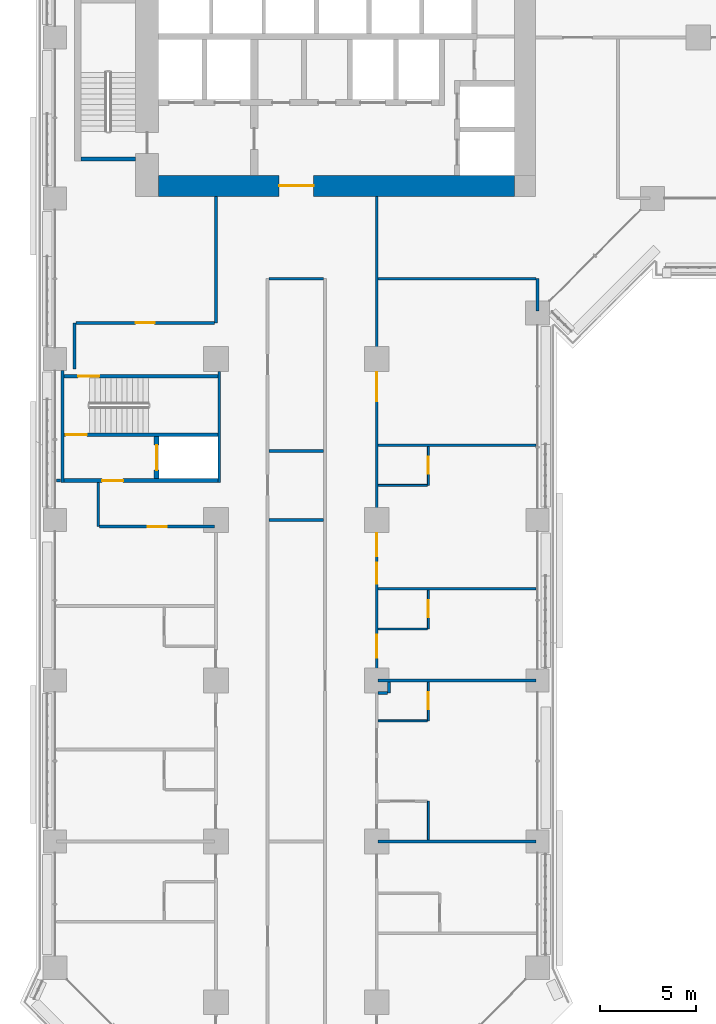
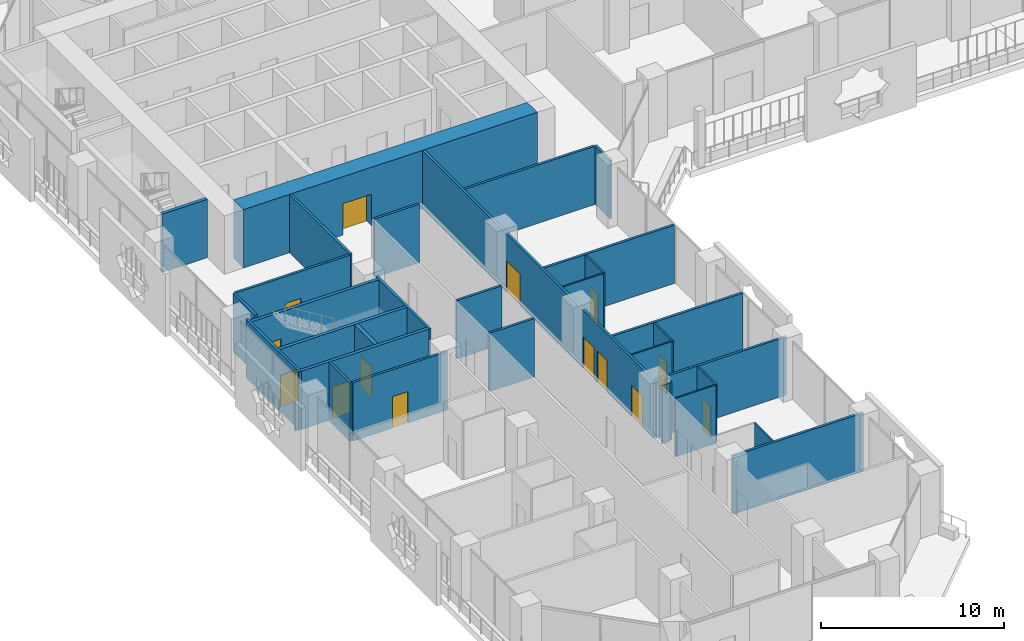
# One storey, part 14 of 28: 33 walls, 14 doors, 14 openings.
"""IFC4 building model written with IfcOpenShell, lengths in metres."""

from ifc_helpers import new_model, si_unit, direction, frame, frame_2d, origin, place, context, subcontext, project, spatial, rectangle, extrude, material, layer, layer_set, type_object, element, fill, save


model = new_model("IFC4")

# Units and contexts
model_context = context("Model", 3, precision=1e-05, world=origin(), true_north=direction((0.0, 1.0)))
body_context = subcontext(model_context, "Body", "Model", "MODEL_VIEW")
ifc_project = project(units=[si_unit("LENGTHUNIT", "METRE"), si_unit("AREAUNIT", "SQUARE_METRE"), si_unit("VOLUMEUNIT", "CUBIC_METRE"), si_unit("PLANEANGLEUNIT", "RADIAN"), si_unit("MASSUNIT", "GRAM", prefix="KILO")], contexts=[model_context])

# Site, building, storey
site_placement = place(None, origin())
site = spatial("IfcSite", under=ifc_project, at=site_placement, CompositionType="ELEMENT")
building_placement = place(site_placement, origin())
building = spatial("IfcBuilding", under=site, at=building_placement, Name="Kawkab Arch Medical Tower", CompositionType="ELEMENT")
storey_placement = place(building_placement, frame((0.0, 0.0, 68.60009765625)))
storey = spatial("IfcBuildingStorey", under=building, at=storey_placement, Name="L15", CompositionType="ELEMENT", Elevation=68.60009765625)

# Wall, opening, door
ifc_material_1 = material(Name="Concrete C60/75", Category="concrete")
ifc_layer_1 = layer(ifc_material_1, 1.10009765625)
ifc_layer_set_1 = layer_set([ifc_layer_1], Name="Concrete C60/75")
wall_type_1 = type_object("IfcWallType", Name="Core ring wall 1100 C60/75", PredefinedType="SHEAR", material=ifc_layer_set_1)
wall_1_placement = place(storey_placement, frame((5.39990234375, -24.550048828125, 0.0), z_axis=(0.0, 0.0, 1.0), x_axis=(1.0, 0.0, 0.0)))
wall_1 = element("IfcWall", 1, at=wall_1_placement, inside=storey, type_object=wall_type_1, Name="L15 core wall", PredefinedType="SHEAR", context=body_context, shape_type="SweptSolid", body=[
    extrude(rectangle(XDim=18.60009765625, YDim=1.10009765625, at=frame_2d((9.300048828125, 0.0))), origin(), (0.0, 0.0, 1.0), 3.89990234375),
])
opening_1_placement = place(wall_1_placement, frame((6.300048828125, 0.0, 0.0)))
opening_1 = element("IfcOpeningElement", 2, at=opening_1_placement, cuts=wall_1, Name="Opening PD", PredefinedType="OPENING", context=body_context, shape_type="SweptSolid", body=[
    extrude(rectangle(XDim=1.800048828125, YDim=2.10009765625, at=frame_2d((0.89990234375, 1.050048828125))), frame((0.0, 0.56005859375, 0.0), z_axis=(0.0, -1.0, 0.0), x_axis=(1.0, 0.0, 0.0)), (0.0, 0.0, 1.0), 1.1201171875),
])
ifc_material_2 = material(Name="Hollow metal fire door leaf")
door_type_1 = type_object("IfcDoorType", Name="Core entrance doors 1800", OperationType="DOUBLE_DOOR_SINGLE_SWING", PredefinedType="DOOR", material=ifc_material_2)
door_1_placement = place(opening_1_placement, origin())
door_1 = element("IfcDoor", 3, at=door_1_placement, inside=storey, type_object=door_type_1, Name="L15 South entrance doors", OperationType="DOUBLE_DOOR_SINGLE_SWING", OverallHeight=2.10009765625, OverallWidth=1.800048828125, PredefinedType="DOOR", context=body_context, shape_type="SweptSolid", body=[
    extrude(rectangle(XDim=1.800048828125, YDim=2.10009765625, at=frame_2d((0.89990234375, 1.050048828125))), frame((0.0, 0.02490234375, 0.0), z_axis=(0.0, -1.0, 0.0), x_axis=(1.0, 0.0, 0.0)), (0.0, 0.0, 1.0), 0.050048828125),
])
fill(opening_1, door_1)

ifc_material_3 = material(Name="Concrete C60/75", Category="concrete")
ifc_layer_2 = layer(ifc_material_3, 0.25)
ifc_layer_set_2 = layer_set([ifc_layer_2], Name="Concrete C60/75")
wall_type_2 = type_object("IfcWallType", Name="Core shear wall 250 C60/75", PredefinedType="SHEAR", material=ifc_layer_set_2)
wall_2_placement = place(storey_placement, frame((5.300048828125, -39.85009765625, 0.0), z_axis=(0.0, 0.0, 1.0), x_axis=(0.0, 1.0, 0.0)))
wall_2 = element("IfcWall", 4, at=wall_2_placement, inside=storey, type_object=wall_type_2, Name="L15 core shear wall", PredefinedType="SHEAR", context=body_context, shape_type="SweptSolid", body=[
    extrude(rectangle(XDim=2.2001953125, YDim=0.25, at=frame_2d((1.10009765625, 0.0))), origin(), (0.0, 0.0, 1.0), 3.89990234375),
])
opening_2_placement = place(wall_2_placement, frame((0.449951171875, 0.0, 0.0)))
opening_2 = element("IfcOpeningElement", 5, at=opening_2_placement, cuts=wall_2, Name="Opening LD2", PredefinedType="OPENING", context=body_context, shape_type="SweptSolid", body=[
    extrude(rectangle(XDim=1.300048828125, YDim=2.10009765625, at=frame_2d((0.64990234375, 1.050048828125))), frame((0.0, 0.135009765625, 0.0), z_axis=(0.0, -1.0, 0.0), x_axis=(1.0, 0.0, 0.0)), (0.0, 0.0, 1.0), 0.27001953125),
])
ifc_material_4 = material(Name="Stainless steel lift door leaf", Category="steel")
door_type_2 = type_object("IfcDoorType", Name="Lift landing door 1300", OperationType="DOUBLE_DOOR_SLIDING", PredefinedType="DOOR", material=ifc_material_4)
door_2_placement = place(opening_2_placement, origin())
door_2 = element("IfcDoor", 6, at=door_2_placement, inside=storey, type_object=door_type_2, Name="L15 Lift landing door SV2", OperationType="DOUBLE_DOOR_SLIDING", OverallHeight=2.10009765625, OverallWidth=1.300048828125, PredefinedType="DOOR", context=body_context, shape_type="SweptSolid", body=[
    extrude(rectangle(XDim=1.300048828125, YDim=2.10009765625, at=frame_2d((0.64990234375, 1.050048828125))), frame((0.0, 0.02490234375, 0.0), z_axis=(0.0, -1.0, 0.0), x_axis=(1.0, 0.0, 0.0)), (0.0, 0.0, 1.0), 0.050048828125),
])
fill(opening_2, door_2)

# Walls
ifc_material_5 = material(Name="Gypsum board partition on steel studs", Category="steel")
ifc_layer_3 = layer(ifc_material_5, 0.10009765625)
ifc_layer_set_3 = layer_set([ifc_layer_3], Name="Gypsum board partition on steel studs")
wall_type_3 = type_object("IfcWallType", Name="Partition 100", PredefinedType="PARTITIONING", material=ifc_layer_set_3)
for number, where, z_axis, x_axis, name in (
    (7, (16.875, -52.5, 0.0), (0.0, 0.0, 1.0), (1.0, 0.0, 0.0), "Partition 100 w005"),
    (8, (16.875, -47.699951171875, 0.0), (0.0, 0.0, 1.0), (1.0, 0.0, 0.0), "Partition 100 w007"),
):
    element("IfcWall", number, at=place(storey_placement, frame(where, z_axis=z_axis, x_axis=x_axis)), inside=storey, type_object=wall_type_3, Name=name, PredefinedType="PARTITIONING", context=body_context, shape_type="SweptSolid", body=[
        extrude(rectangle(XDim=2.574951171875, YDim=0.10009765625, at=frame_2d((1.28759765625, 0.0))), origin(), (0.0, 0.0, 1.0), 3.89990234375),
    ])
wall_3_placement = place(storey_placement, frame((16.875, -40.199951171875, 0.0), z_axis=(0.0, 0.0, 1.0), x_axis=(1.0, 0.0, 0.0)))
element("IfcWall", 9, at=wall_3_placement, inside=storey, type_object=wall_type_3, Name="Partition 100 w008", PredefinedType="PARTITIONING", context=body_context, shape_type="SweptSolid", body=[
    extrude(rectangle(XDim=2.573974609375, YDim=0.10009765625, at=frame_2d((1.287109375, 0.0))), origin(), (0.0, 0.0, 1.0), 3.89990234375),
])
wall_4_placement = place(storey_placement, frame((19.5, -58.72509765625, 0.0), z_axis=(0.0, 0.0, 1.0), x_axis=(0.0, 1.0, 0.0)))
element("IfcWall", 10, at=wall_4_placement, inside=storey, type_object=wall_type_3, Name="Partition 100 w021", PredefinedType="PARTITIONING", context=body_context, shape_type="SweptSolid", body=[
    extrude(rectangle(XDim=2.025146484375, YDim=0.10009765625, at=frame_2d((1.0126953125, 0.0))), origin(), (0.0, 0.0, 1.0), 3.89990234375),
])

# Wall, opening, door
wall_5_placement = place(storey_placement, frame((19.5, -52.5, 0.0), z_axis=(0.0, 0.0, 1.0), x_axis=(0.0, 1.0, 0.0)))
wall_5 = element("IfcWall", 11, at=wall_5_placement, inside=storey, type_object=wall_type_3, Name="Partition 100 w022", PredefinedType="PARTITIONING", context=body_context, shape_type="SweptSolid", body=[
    extrude(rectangle(XDim=2.02490234375, YDim=0.10009765625, at=frame_2d((1.012451171875, 0.0))), origin(), (0.0, 0.0, 1.0), 3.89990234375),
])
opening_3_placement = place(wall_5_placement, frame((0.60009765625, 0.0, 0.0)))
opening_3 = element("IfcOpeningElement", 12, at=opening_3_placement, cuts=wall_5, Name="Opening W15A-024", PredefinedType="OPENING", context=body_context, shape_type="SweptSolid", body=[
    extrude(rectangle(XDim=0.89990234375, YDim=2.10009765625, at=frame_2d((0.449951171875, 1.050048828125))), frame((0.0, 0.06005859375, 0.0), z_axis=(0.0, -1.0, 0.0), x_axis=(1.0, 0.0, 0.0)), (0.0, 0.0, 1.0), 0.1201171875),
])
ifc_material_6 = material(Name="Timber door leaf", Category="wood")
door_type_3 = type_object("IfcDoorType", Name="Single door 900x2100", OperationType="NOTDEFINED", PredefinedType="DOOR", material=ifc_material_6)
door_3_placement = place(opening_3_placement, origin())
door_3 = element("IfcDoor", 13, at=door_3_placement, inside=storey, type_object=door_type_3, Name="Door W15A-024", OperationType="SINGLE_SWING_RIGHT", OverallHeight=2.10009765625, OverallWidth=0.89990234375, PredefinedType="DOOR", context=body_context, shape_type="SweptSolid", body=[
    extrude(rectangle(XDim=0.89990234375, YDim=2.10009765625, at=frame_2d((0.449951171875, 1.050048828125))), frame((0.0, 0.02490234375, 0.0), z_axis=(0.0, -1.0, 0.0), x_axis=(1.0, 0.0, 0.0)), (0.0, 0.0, 1.0), 0.050048828125),
])
fill(opening_3, door_3)

wall_6_placement = place(storey_placement, frame((19.5, -47.699951171875, 0.0), z_axis=(0.0, 0.0, 1.0), x_axis=(0.0, 1.0, 0.0)))
wall_6 = element("IfcWall", 14, at=wall_6_placement, inside=storey, type_object=wall_type_3, Name="Partition 100 w023", PredefinedType="PARTITIONING", context=body_context, shape_type="SweptSolid", body=[
    extrude(rectangle(XDim=2.02490234375, YDim=0.10009765625, at=frame_2d((1.012451171875, 0.0))), origin(), (0.0, 0.0, 1.0), 3.89990234375),
])
opening_4_placement = place(wall_6_placement, frame((0.60009765625, 0.0, 0.0)))
opening_4 = element("IfcOpeningElement", 15, at=opening_4_placement, cuts=wall_6, Name="Opening W15A-023", PredefinedType="OPENING", context=body_context, shape_type="SweptSolid", body=[
    extrude(rectangle(XDim=0.89990234375, YDim=2.10009765625, at=frame_2d((0.449951171875, 1.050048828125))), frame((0.0, 0.06005859375, 0.0), z_axis=(0.0, -1.0, 0.0), x_axis=(1.0, 0.0, 0.0)), (0.0, 0.0, 1.0), 0.1201171875),
])
door_4_placement = place(opening_4_placement, origin())
door_4 = element("IfcDoor", 16, at=door_4_placement, inside=storey, type_object=door_type_3, Name="Door W15A-023", OperationType="SINGLE_SWING_LEFT", OverallHeight=2.10009765625, OverallWidth=0.89990234375, PredefinedType="DOOR", context=body_context, shape_type="SweptSolid", body=[
    extrude(rectangle(XDim=0.89990234375, YDim=2.10009765625, at=frame_2d((0.449951171875, 1.050048828125))), frame((0.0, 0.02490234375, 0.0), z_axis=(0.0, -1.0, 0.0), x_axis=(1.0, 0.0, 0.0)), (0.0, 0.0, 1.0), 0.050048828125),
])
fill(opening_4, door_4)

wall_7_placement = place(storey_placement, frame((19.5, -40.197998046875, 0.0), z_axis=(0.0, 0.0, 1.0), x_axis=(0.0, 1.0, 0.0)))
wall_7 = element("IfcWall", 17, at=wall_7_placement, inside=storey, type_object=wall_type_3, Name="Partition 100 w024", PredefinedType="PARTITIONING", context=body_context, shape_type="SweptSolid", body=[
    extrude(rectangle(XDim=2.02294921875, YDim=0.10009765625, at=frame_2d((1.011474609375, 0.0))), origin(), (0.0, 0.0, 1.0), 3.89990234375),
])
opening_5_placement = place(wall_7_placement, frame((0.59912109375, 0.0, 0.0)))
opening_5 = element("IfcOpeningElement", 18, at=opening_5_placement, cuts=wall_7, Name="Opening W15A-022", PredefinedType="OPENING", context=body_context, shape_type="SweptSolid", body=[
    extrude(rectangle(XDim=0.89990234375, YDim=2.10009765625, at=frame_2d((0.449951171875, 1.050048828125))), frame((0.0, 0.06005859375, 0.0), z_axis=(0.0, -1.0, 0.0), x_axis=(1.0, 0.0, 0.0)), (0.0, 0.0, 1.0), 0.1201171875),
])
door_5_placement = place(opening_5_placement, origin())
door_5 = element("IfcDoor", 19, at=door_5_placement, inside=storey, type_object=door_type_3, Name="Door W15A-022", OperationType="SINGLE_SWING_LEFT", OverallHeight=2.10009765625, OverallWidth=0.89990234375, PredefinedType="DOOR", context=body_context, shape_type="SweptSolid", body=[
    extrude(rectangle(XDim=0.89990234375, YDim=2.10009765625, at=frame_2d((0.449951171875, 1.050048828125))), frame((0.0, 0.02490234375, 0.0), z_axis=(0.0, -1.0, 0.0), x_axis=(1.0, 0.0, 0.0)), (0.0, 0.0, 1.0), 0.050048828125),
])
fill(opening_5, door_5)

# Walls
ifc_material_7 = material(Name="Gypsum board partition on steel studs, mineral wool", Category="steel")
ifc_layer_4 = layer(ifc_material_7, 0.14990234375)
ifc_layer_set_4 = layer_set([ifc_layer_4], Name="Gypsum board partition on steel studs, mineral wool")
wall_type_4 = type_object("IfcWallType", Name="Partition 150", PredefinedType="PARTITIONING", material=ifc_layer_set_4)
wall_8_placement = place(storey_placement, frame((16.875, -58.800048828125, 0.0), z_axis=(0.0, 0.0, 1.0), x_axis=(1.0, 0.0, 0.0)))
element("IfcWall", 20, at=wall_8_placement, inside=storey, type_object=wall_type_4, Name="Partition 150 w041", PredefinedType="PARTITIONING", context=body_context, shape_type="SweptSolid", body=[
    extrude(rectangle(XDim=8.2451171875, YDim=0.14990234375, at=frame_2d((4.12255859375, 0.0))), origin(), (0.0, 0.0, 1.0), 3.89990234375),
])
wall_9_placement = place(storey_placement, frame((16.876953125, -51.050048828125, 0.0), z_axis=(0.0, 0.0, 1.0), x_axis=(1.0, 0.0, 0.0)))
element("IfcWall", 21, at=wall_9_placement, inside=storey, type_object=wall_type_4, Name="Partition 150 w043", PredefinedType="PARTITIONING", context=body_context, shape_type="SweptSolid", body=[
    extrude(rectangle(XDim=0.498046875, YDim=0.14990234375, at=frame_2d((0.2490234375, 0.0))), origin(), (0.0, 0.0, 1.0), 3.89990234375),
])
wall_10_placement = place(storey_placement, frame((16.876953125, -50.39990234375, 0.0), z_axis=(0.0, 0.0, 1.0), x_axis=(1.0, 0.0, 0.0)))
element("IfcWall", 22, at=wall_10_placement, inside=storey, type_object=wall_type_4, Name="Partition 150 w044", PredefinedType="PARTITIONING", context=body_context, shape_type="SweptSolid", body=[
    extrude(rectangle(XDim=8.2431640625, YDim=0.14990234375, at=frame_2d((4.12158203125, 0.0))), origin(), (0.0, 0.0, 1.0), 3.89990234375),
])
wall_11_placement = place(storey_placement, frame((16.875, -45.60009765625, 0.0), z_axis=(0.0, 0.0, 1.0), x_axis=(1.0, 0.0, 0.0)))
element("IfcWall", 23, at=wall_11_placement, inside=storey, type_object=wall_type_4, Name="Partition 150 w046", PredefinedType="PARTITIONING", context=body_context, shape_type="SweptSolid", body=[
    extrude(rectangle(XDim=8.2451171875, YDim=0.14990234375, at=frame_2d((4.12255859375, 0.0))), origin(), (0.0, 0.0, 1.0), 3.89990234375),
])

# Wall, opening, door
wall_12_placement = place(storey_placement, frame((2.325927734375, -42.35009765625, 0.0), z_axis=(0.0, 0.0, 1.0), x_axis=(1.0, 0.0, 0.0)))
wall_12 = element("IfcWall", 24, at=wall_12_placement, inside=storey, type_object=wall_type_4, Name="Partition 150 w047", PredefinedType="PARTITIONING", context=body_context, shape_type="SweptSolid", body=[
    extrude(rectangle(XDim=5.9990234375, YDim=0.14990234375, at=frame_2d((2.99951171875, 0.0))), origin(), (0.0, 0.0, 1.0), 3.89990234375),
])
opening_6_placement = place(wall_12_placement, frame((2.4990234375, 0.0, 0.0)))
opening_6 = element("IfcOpeningElement", 25, at=opening_6_placement, cuts=wall_12, Name="Opening W15A-038", PredefinedType="OPENING", context=body_context, shape_type="SweptSolid", body=[
    extrude(rectangle(XDim=1.0, YDim=2.10009765625, at=frame_2d((0.5, 1.050048828125))), frame((0.0, 0.0849609375, 0.0), z_axis=(0.0, -1.0, 0.0), x_axis=(1.0, 0.0, 0.0)), (0.0, 0.0, 1.0), 0.169921875),
])
ifc_material_8 = material(Name="Hollow metal door leaf")
door_type_4 = type_object("IfcDoorType", Name="Single door 1000x2100 FD30S", OperationType="NOTDEFINED", PredefinedType="DOOR", material=ifc_material_8)
door_6_placement = place(opening_6_placement, origin())
door_6 = element("IfcDoor", 26, at=door_6_placement, inside=storey, type_object=door_type_4, Name="Door W15A-038", OperationType="SINGLE_SWING_LEFT", OverallHeight=2.10009765625, OverallWidth=1.0, PredefinedType="DOOR", context=body_context, shape_type="SweptSolid", body=[
    extrude(rectangle(XDim=1.0, YDim=2.10009765625, at=frame_2d((0.5, 1.050048828125))), frame((0.0, 0.02490234375, 0.0), z_axis=(0.0, -1.0, 0.0), x_axis=(1.0, 0.0, 0.0)), (0.0, 0.0, 1.0), 0.050048828125),
])
fill(opening_6, door_6)

# Walls
wall_13_placement = place(storey_placement, frame((11.175048828125, -42.0, 0.0), z_axis=(0.0, 0.0, 1.0), x_axis=(1.0, 0.0, 0.0)))
element("IfcWall", 27, at=wall_13_placement, inside=storey, type_object=wall_type_4, Name="Partition 150 w048", PredefinedType="PARTITIONING", context=body_context, shape_type="SweptSolid", body=[
    extrude(rectangle(XDim=2.849853515625, YDim=0.14990234375, at=frame_2d((1.4248046875, 0.0))), origin(), (0.0, 0.0, 1.0), 3.89990234375),
])
wall_14_placement = place(storey_placement, frame((0.080078125, -39.949951171875, 0.0), z_axis=(0.0, 0.0, 1.0), x_axis=(1.0, 0.0, 0.0)))
element("IfcWall", 28, at=wall_14_placement, inside=storey, type_object=wall_type_4, Name="Partition 150 w049", PredefinedType="PARTITIONING", context=body_context, shape_type="SweptSolid", body=[
    extrude(rectangle(XDim=0.18994140625, YDim=0.14990234375, at=frame_2d((0.094970703125, 0.0))), origin(), (0.0, 0.0, 1.0), 3.89990234375),
])
wall_15_placement = place(storey_placement, frame((11.175048828125, -38.39990234375, 0.0), z_axis=(0.0, 0.0, 1.0), x_axis=(1.0, 0.0, 0.0)))
element("IfcWall", 29, at=wall_15_placement, inside=storey, type_object=wall_type_4, Name="Partition 150 w050", PredefinedType="PARTITIONING", context=body_context, shape_type="SweptSolid", body=[
    extrude(rectangle(XDim=2.849853515625, YDim=0.14990234375, at=frame_2d((1.4248046875, 0.0))), origin(), (0.0, 0.0, 1.0), 3.89990234375),
])
wall_16_placement = place(storey_placement, frame((16.875, -38.10009765625, 0.0), z_axis=(0.0, 0.0, 1.0), x_axis=(1.0, 0.0, 0.0)))
element("IfcWall", 30, at=wall_16_placement, inside=storey, type_object=wall_type_4, Name="Partition 150 w051", PredefinedType="PARTITIONING", context=body_context, shape_type="SweptSolid", body=[
    extrude(rectangle(XDim=8.2451171875, YDim=0.14990234375, at=frame_2d((4.12255859375, 0.0))), origin(), (0.0, 0.0, 1.0), 3.89990234375),
])

# Wall, opening, door
wall_17_placement = place(storey_placement, frame((1.076904296875, -31.70703125, 0.0), z_axis=(0.0, 0.0, 1.0), x_axis=(1.0, 0.0, 0.0)))
wall_17 = element("IfcWall", 31, at=wall_17_placement, inside=storey, type_object=wall_type_4, Name="Partition 150 w052", PredefinedType="PARTITIONING", context=body_context, shape_type="SweptSolid", body=[
    extrude(rectangle(XDim=7.248046875, YDim=0.14990234375, at=frame_2d((3.6240234375, 0.0))), origin(), (0.0, 0.0, 1.0), 3.89990234375),
])
opening_7_placement = place(wall_17_placement, frame((3.1240234375, 0.0, 0.0)))
opening_7 = element("IfcOpeningElement", 32, at=opening_7_placement, cuts=wall_17, Name="Opening W15A-037", PredefinedType="OPENING", context=body_context, shape_type="SweptSolid", body=[
    extrude(rectangle(XDim=1.0, YDim=2.10009765625, at=frame_2d((0.5, 1.050048828125))), frame((0.0, 0.0849609375, 0.0), z_axis=(0.0, -1.0, 0.0), x_axis=(1.0, 0.0, 0.0)), (0.0, 0.0, 1.0), 0.169921875),
])
door_7_placement = place(opening_7_placement, origin())
door_7 = element("IfcDoor", 33, at=door_7_placement, inside=storey, type_object=door_type_4, Name="Door W15A-037", OperationType="SINGLE_SWING_LEFT", OverallHeight=2.10009765625, OverallWidth=1.0, PredefinedType="DOOR", context=body_context, shape_type="SweptSolid", body=[
    extrude(rectangle(XDim=1.0, YDim=2.10009765625, at=frame_2d((0.5, 1.050048828125))), frame((0.0, 0.02490234375, 0.0), z_axis=(0.0, -1.0, 0.0), x_axis=(1.0, 0.0, 0.0)), (0.0, 0.0, 1.0), 0.050048828125),
])
fill(opening_7, door_7)

# Walls
wall_18_placement = place(storey_placement, frame((11.175048828125, -29.39990234375, 0.0), z_axis=(0.0, 0.0, 1.0), x_axis=(1.0, 0.0, 0.0)))
element("IfcWall", 34, at=wall_18_placement, inside=storey, type_object=wall_type_4, Name="Partition 150 w053", PredefinedType="PARTITIONING", context=body_context, shape_type="SweptSolid", body=[
    extrude(rectangle(XDim=2.849853515625, YDim=0.14990234375, at=frame_2d((1.4248046875, 0.0))), origin(), (0.0, 0.0, 1.0), 3.89990234375),
])
wall_19_placement = place(storey_placement, frame((16.875, -29.39990234375, 0.0), z_axis=(0.0, 0.0, 1.0), x_axis=(1.0, 0.0, 0.0)))
element("IfcWall", 35, at=wall_19_placement, inside=storey, type_object=wall_type_4, Name="Partition 150 w054", PredefinedType="PARTITIONING", context=body_context, shape_type="SweptSolid", body=[
    extrude(rectangle(XDim=8.25, YDim=0.14990234375, at=frame_2d((4.125, 0.0))), origin(), (0.0, 0.0, 1.0), 3.89990234375),
])
wall_20_placement = place(storey_placement, frame((1.0, -34.123046875, 0.0), z_axis=(0.0, 0.0, 1.0), x_axis=(0.0, 1.0, 0.0)))
element("IfcWall", 36, at=wall_20_placement, inside=storey, type_object=wall_type_4, Name="Partition 150 w064", PredefinedType="PARTITIONING", context=body_context, shape_type="SweptSolid", body=[
    extrude(rectangle(XDim=2.4150390625, YDim=0.14990234375, at=frame_2d((1.20751953125, 0.0))), origin(), (0.0, 0.0, 1.0), 3.89990234375),
])
wall_21_placement = place(storey_placement, frame((2.25, -42.347900390625, 0.0), z_axis=(0.0, 0.0, 1.0), x_axis=(0.0, 1.0, 0.0)))
element("IfcWall", 37, at=wall_21_placement, inside=storey, type_object=wall_type_4, Name="Partition 150 w065", PredefinedType="PARTITIONING", context=body_context, shape_type="SweptSolid", body=[
    extrude(rectangle(XDim=2.2978515625, YDim=0.14990234375, at=frame_2d((1.14892578125, 0.0))), origin(), (0.0, 0.0, 1.0), 3.89990234375),
])
wall_22_placement = place(storey_placement, frame((8.39990234375, -31.70703125, 0.0), z_axis=(0.0, 0.0, 1.0), x_axis=(0.0, 1.0, 0.0)))
element("IfcWall", 38, at=wall_22_placement, inside=storey, type_object=wall_type_4, Name="Partition 150 w067", PredefinedType="PARTITIONING", context=body_context, shape_type="SweptSolid", body=[
    extrude(rectangle(XDim=6.60693359375, YDim=0.14990234375, at=frame_2d((3.303466796875, 0.0))), origin(), (0.0, 0.0, 1.0), 3.89990234375),
])

# Wall, openings, doors
wall_23_placement = place(storey_placement, frame((16.800048828125, -50.39794921875, 0.0), z_axis=(0.0, 0.0, 1.0), x_axis=(0.0, 1.0, 0.0)))
wall_23 = element("IfcWall", 39, at=wall_23_placement, inside=storey, type_object=wall_type_4, Name="Partition 150 w071", PredefinedType="PARTITIONING", context=body_context, shape_type="SweptSolid", body=[
    extrude(rectangle(XDim=25.2978515625, YDim=0.14990234375, at=frame_2d((12.64892578125, 0.0))), origin(), (0.0, 0.0, 1.0), 3.89990234375),
])
opening_8_placement = place(wall_23_placement, frame((14.597900390625, 0.0, 0.0)))
opening_8 = element("IfcOpeningElement", 40, at=opening_8_placement, cuts=wall_23, Name="Opening W15A-007", PredefinedType="OPENING", context=body_context, shape_type="SweptSolid", body=[
    extrude(rectangle(XDim=1.5, YDim=2.10009765625, at=frame_2d((0.75, 1.050048828125))), frame((0.0, 0.0849609375, 0.0), z_axis=(0.0, -1.0, 0.0), x_axis=(1.0, 0.0, 0.0)), (0.0, 0.0, 1.0), 0.169921875),
])
opening_9_placement = place(wall_23_placement, frame((6.498046875, 0.0, 0.0)))
opening_9 = element("IfcOpeningElement", 41, at=opening_9_placement, cuts=wall_23, Name="Opening W15A-059", PredefinedType="OPENING", context=body_context, shape_type="SweptSolid", body=[
    extrude(rectangle(XDim=1.199951171875, YDim=2.10009765625, at=frame_2d((0.60009765625, 1.050048828125))), frame((0.0, 0.0849609375, 0.0), z_axis=(0.0, -1.0, 0.0), x_axis=(1.0, 0.0, 0.0)), (0.0, 0.0, 1.0), 0.169921875),
])
opening_10_placement = place(wall_23_placement, frame((5.048095703125, 0.0, 0.0)))
opening_10 = element("IfcOpeningElement", 42, at=opening_10_placement, cuts=wall_23, Name="Opening W15A-044", PredefinedType="OPENING", context=body_context, shape_type="SweptSolid", body=[
    extrude(rectangle(XDim=1.10009765625, YDim=2.10009765625, at=frame_2d((0.550048828125, 1.050048828125))), frame((0.0, 0.0849609375, 0.0), z_axis=(0.0, -1.0, 0.0), x_axis=(1.0, 0.0, 0.0)), (0.0, 0.0, 1.0), 0.169921875),
])
opening_11_placement = place(wall_23_placement, frame((1.198974609375, 0.0, 0.0)))
opening_11 = element("IfcOpeningElement", 43, at=opening_11_placement, cuts=wall_23, Name="Opening W15A-060", PredefinedType="OPENING", context=body_context, shape_type="SweptSolid", body=[
    extrude(rectangle(XDim=1.199951171875, YDim=2.10009765625, at=frame_2d((0.60009765625, 1.050048828125))), frame((0.0, 0.0849609375, 0.0), z_axis=(0.0, -1.0, 0.0), x_axis=(1.0, 0.0, 0.0)), (0.0, 0.0, 1.0), 0.169921875),
])
ifc_material_9 = material(Name="Hollow metal door leaf")
door_type_5 = type_object("IfcDoorType", Name="Double door 1500x2100 FD30S", OperationType="NOTDEFINED", PredefinedType="DOOR", material=ifc_material_9)
door_8_placement = place(opening_8_placement, origin())
door_8 = element("IfcDoor", 44, at=door_8_placement, inside=storey, type_object=door_type_5, Name="Door W15A-007", OperationType="DOUBLE_DOOR_SINGLE_SWING", OverallHeight=2.10009765625, OverallWidth=1.5, PredefinedType="DOOR", context=body_context, shape_type="SweptSolid", body=[
    extrude(rectangle(XDim=1.5, YDim=2.10009765625, at=frame_2d((0.75, 1.050048828125))), frame((0.0, 0.02490234375, 0.0), z_axis=(0.0, -1.0, 0.0), x_axis=(1.0, 0.0, 0.0)), (0.0, 0.0, 1.0), 0.050048828125),
])
fill(opening_8, door_8)
ifc_material_10 = material(Name="Hollow metal door leaf")
door_type_6 = type_object("IfcDoorType", Name="Single door 1100x2100 FD30S", OperationType="NOTDEFINED", PredefinedType="DOOR", material=ifc_material_10)
door_9_placement = place(opening_10_placement, origin())
door_9 = element("IfcDoor", 45, at=door_9_placement, inside=storey, type_object=door_type_6, Name="Door W15A-044", OperationType="SINGLE_SWING_RIGHT", OverallHeight=2.10009765625, OverallWidth=1.10009765625, PredefinedType="DOOR", context=body_context, shape_type="SweptSolid", body=[
    extrude(rectangle(XDim=1.10009765625, YDim=2.10009765625, at=frame_2d((0.550048828125, 1.050048828125))), frame((0.0, 0.02490234375, 0.0), z_axis=(0.0, -1.0, 0.0), x_axis=(1.0, 0.0, 0.0)), (0.0, 0.0, 1.0), 0.050048828125),
])
fill(opening_10, door_9)
ifc_material_11 = material(Name="Hollow metal door leaf")
door_type_7 = type_object("IfcDoorType", Name="Single door 1200x2100 FD30S", OperationType="NOTDEFINED", PredefinedType="DOOR", material=ifc_material_11)
door_10_placement = place(opening_9_placement, origin())
door_10 = element("IfcDoor", 46, at=door_10_placement, inside=storey, type_object=door_type_7, Name="Door W15A-059", OperationType="SINGLE_SWING_RIGHT", OverallHeight=2.10009765625, OverallWidth=1.199951171875, PredefinedType="DOOR", context=body_context, shape_type="SweptSolid", body=[
    extrude(rectangle(XDim=1.199951171875, YDim=2.10009765625, at=frame_2d((0.60009765625, 1.050048828125))), frame((0.0, 0.02490234375, 0.0), z_axis=(0.0, -1.0, 0.0), x_axis=(1.0, 0.0, 0.0)), (0.0, 0.0, 1.0), 0.050048828125),
])
fill(opening_9, door_10)
door_11_placement = place(opening_11_placement, origin())
door_11 = element("IfcDoor", 47, at=door_11_placement, inside=storey, type_object=door_type_7, Name="Door W15A-060", OperationType="SINGLE_SWING_RIGHT", OverallHeight=2.10009765625, OverallWidth=1.199951171875, PredefinedType="DOOR", context=body_context, shape_type="SweptSolid", body=[
    extrude(rectangle(XDim=1.199951171875, YDim=2.10009765625, at=frame_2d((0.60009765625, 1.050048828125))), frame((0.0, 0.02490234375, 0.0), z_axis=(0.0, -1.0, 0.0), x_axis=(1.0, 0.0, 0.0)), (0.0, 0.0, 1.0), 0.050048828125),
])
fill(opening_11, door_11)

# Walls
wall_24_placement = place(storey_placement, frame((17.449951171875, -51.050048828125, 0.0), z_axis=(0.0, 0.0, 1.0), x_axis=(0.0, 1.0, 0.0)))
element("IfcWall", 48, at=wall_24_placement, inside=storey, type_object=wall_type_4, Name="Partition 150 w072", PredefinedType="PARTITIONING", context=body_context, shape_type="SweptSolid", body=[
    extrude(rectangle(XDim=0.574951171875, YDim=0.14990234375, at=frame_2d((0.28759765625, 0.0))), origin(), (0.0, 0.0, 1.0), 3.89990234375),
])
wall_25_placement = place(storey_placement, frame((25.199951171875, -31.0869140625, 0.0), z_axis=(0.0, 0.0, 1.0), x_axis=(0.0, 1.0, 0.0)))
element("IfcWall", 49, at=wall_25_placement, inside=storey, type_object=wall_type_4, Name="Partition 150 w073", PredefinedType="PARTITIONING", context=body_context, shape_type="SweptSolid", body=[
    extrude(rectangle(XDim=1.68701171875, YDim=0.14990234375, at=frame_2d((0.843505859375, 0.0))), origin(), (0.0, 0.0, 1.0), 3.89990234375),
])
ifc_material_12 = material(Name="Concrete C50/60", Category="concrete")
ifc_layer_5 = layer(ifc_material_12, 0.14990234375)
ifc_layer_set_5 = layer_set([ifc_layer_5], Name="Concrete C50/60")
wall_type_5 = type_object("IfcWallType", Name="Stair enclosure wall 150 C50/60", PredefinedType="SHEAR", material=ifc_layer_set_5)
wall_26_placement = place(storey_placement, frame((0.375, -40.050048828125, 0.0), z_axis=(0.0, 0.0, 1.0), x_axis=(0.0, 1.0, 0.0)))
element("IfcWall", 50, at=wall_26_placement, inside=storey, type_object=wall_type_5, Name="L15 stair enclosure wall", PredefinedType="SHEAR", context=body_context, shape_type="SweptSolid", body=[
    extrude(rectangle(XDim=5.85009765625, YDim=0.14990234375, at=frame_2d((2.925048828125, 0.0))), origin(), (0.0, 0.0, 1.0), 3.89990234375),
])
wall_27_placement = place(storey_placement, frame((8.574951171875, -40.050048828125, 0.0), z_axis=(0.0, 0.0, 1.0), x_axis=(0.0, 1.0, 0.0)))
element("IfcWall", 51, at=wall_27_placement, inside=storey, type_object=wall_type_5, Name="L15 stair enclosure wall", PredefinedType="SHEAR", context=body_context, shape_type="SweptSolid", body=[
    extrude(rectangle(XDim=5.800048828125, YDim=0.14990234375, at=frame_2d((2.89990234375, 0.0))), origin(), (0.0, 0.0, 1.0), 3.89990234375),
])
ifc_material_13 = material(Name="Concrete C50/60", Category="concrete")
ifc_layer_6 = layer(ifc_material_13, 0.199951171875)
ifc_layer_set_6 = layer_set([ifc_layer_6], Name="Concrete C50/60")
wall_type_6 = type_object("IfcWallType", Name="Stair enclosure wall 200 C50/60", PredefinedType="SHEAR", material=ifc_layer_set_6)
wall_28_placement = place(storey_placement, frame((1.35009765625, -23.14990234375, 0.0), z_axis=(0.0, 0.0, 1.0), x_axis=(1.0, 0.0, 0.0)))
element("IfcWall", 52, at=wall_28_placement, inside=storey, type_object=wall_type_6, Name="L15 stair enclosure wall", PredefinedType="SHEAR", context=body_context, shape_type="SweptSolid", body=[
    extrude(rectangle(XDim=2.849853515625, YDim=0.199951171875, at=frame_2d((1.4248046875, 0.0))), origin(), (0.0, 0.0, 1.0), 3.89990234375),
])

# Wall, opening, door
wall_29_placement = place(storey_placement, frame((0.449951171875, -34.5, 0.0), z_axis=(0.0, 0.0, 1.0), x_axis=(1.0, 0.0, 0.0)))
wall_29 = element("IfcWall", 53, at=wall_29_placement, inside=storey, type_object=wall_type_6, Name="L15 stair enclosure wall", PredefinedType="SHEAR", context=body_context, shape_type="SweptSolid", body=[
    extrude(rectangle(XDim=8.050048828125, YDim=0.199951171875, at=frame_2d((4.02490234375, 0.0))), origin(), (0.0, 0.0, 1.0), 3.89990234375),
])
opening_12_placement = place(wall_29_placement, frame((0.75, 0.0, 0.0)))
opening_12 = element("IfcOpeningElement", 54, at=opening_12_placement, cuts=wall_29, Name="Opening SD", PredefinedType="OPENING", context=body_context, shape_type="SweptSolid", body=[
    extrude(rectangle(XDim=1.10009765625, YDim=2.10009765625, at=frame_2d((0.550048828125, 1.050048828125))), frame((0.0, 0.10986328125, 0.0), z_axis=(0.0, -1.0, 0.0), x_axis=(1.0, 0.0, 0.0)), (0.0, 0.0, 1.0), 0.219970703125),
])
ifc_material_14 = material(Name="Hollow metal fire door leaf")
door_type_8 = type_object("IfcDoorType", Name="Exit stair door 1100", OperationType="SINGLE_SWING_LEFT", PredefinedType="DOOR", material=ifc_material_14)
door_12_placement = place(opening_12_placement, origin())
door_12 = element("IfcDoor", 55, at=door_12_placement, inside=storey, type_object=door_type_8, Name="L15 Exit stair ST6 door", OperationType="SINGLE_SWING_LEFT", OverallHeight=2.10009765625, OverallWidth=1.10009765625, PredefinedType="DOOR", context=body_context, shape_type="SweptSolid", body=[
    extrude(rectangle(XDim=1.10009765625, YDim=2.10009765625, at=frame_2d((0.550048828125, 1.050048828125))), frame((0.0, 0.02490234375, 0.0), z_axis=(0.0, -1.0, 0.0), x_axis=(1.0, 0.0, 0.0)), (0.0, 0.0, 1.0), 0.050048828125),
])
fill(opening_12, door_12)

wall_30_placement = place(storey_placement, frame((0.449951171875, -37.550048828125, 0.0), z_axis=(0.0, 0.0, 1.0), x_axis=(1.0, 0.0, 0.0)))
wall_30 = element("IfcWall", 56, at=wall_30_placement, inside=storey, type_object=wall_type_6, Name="L15 stair enclosure wall", PredefinedType="SHEAR", context=body_context, shape_type="SweptSolid", body=[
    extrude(rectangle(XDim=8.050048828125, YDim=0.199951171875, at=frame_2d((4.02490234375, 0.0))), origin(), (0.0, 0.0, 1.0), 3.89990234375),
])
opening_13_placement = place(wall_30_placement, frame((0.10009765625, 0.0, 0.0)))
opening_13 = element("IfcOpeningElement", 57, at=opening_13_placement, cuts=wall_30, Name="Opening SD", PredefinedType="OPENING", context=body_context, shape_type="SweptSolid", body=[
    extrude(rectangle(XDim=1.10009765625, YDim=2.10009765625, at=frame_2d((0.550048828125, 1.050048828125))), frame((0.0, 0.10986328125, 0.0), z_axis=(0.0, -1.0, 0.0), x_axis=(1.0, 0.0, 0.0)), (0.0, 0.0, 1.0), 0.219970703125),
])
door_13_placement = place(opening_13_placement, frame((1.10009765625, 0.0, 0.0), z_axis=(0.0, 0.0, 1.0), x_axis=(-1.0, 0.0, 0.0)))
door_13 = element("IfcDoor", 58, at=door_13_placement, inside=storey, type_object=door_type_8, Name="L15 Exit stair ST6 lobby door", OperationType="SINGLE_SWING_LEFT", OverallHeight=2.10009765625, OverallWidth=1.10009765625, PredefinedType="DOOR", context=body_context, shape_type="SweptSolid", body=[
    extrude(rectangle(XDim=1.10009765625, YDim=2.10009765625, at=frame_2d((0.550048828125, 1.050048828125))), frame((0.0, 0.02490234375, 0.0), z_axis=(0.0, -1.0, 0.0), x_axis=(1.0, 0.0, 0.0)), (0.0, 0.0, 1.0), 0.050048828125),
])
fill(opening_13, door_13)

wall_31_placement = place(storey_placement, frame((0.449951171875, -39.949951171875, 0.0), z_axis=(0.0, 0.0, 1.0), x_axis=(1.0, 0.0, 0.0)))
wall_31 = element("IfcWall", 59, at=wall_31_placement, inside=storey, type_object=wall_type_6, Name="L15 stair enclosure wall", PredefinedType="SHEAR", context=body_context, shape_type="SweptSolid", body=[
    extrude(rectangle(XDim=8.050048828125, YDim=0.199951171875, at=frame_2d((4.02490234375, 0.0))), origin(), (0.0, 0.0, 1.0), 3.89990234375),
])
opening_14_placement = place(wall_31_placement, frame((2.0, 0.0, 0.0)))
opening_14 = element("IfcOpeningElement", 60, at=opening_14_placement, cuts=wall_31, Name="Opening FD", PredefinedType="OPENING", context=body_context, shape_type="SweptSolid", body=[
    extrude(rectangle(XDim=1.10009765625, YDim=2.10009765625, at=frame_2d((0.550048828125, 1.050048828125))), frame((0.0, 0.10986328125, 0.0), z_axis=(0.0, -1.0, 0.0), x_axis=(1.0, 0.0, 0.0)), (0.0, 0.0, 1.0), 0.219970703125),
])
ifc_material_15 = material(Name="Hollow metal fire door leaf")
door_type_9 = type_object("IfcDoorType", Name="Firefighting lobby door 1100", OperationType="SINGLE_SWING_LEFT", PredefinedType="DOOR", material=ifc_material_15)
door_14_placement = place(opening_14_placement, origin())
door_14 = element("IfcDoor", 61, at=door_14_placement, inside=storey, type_object=door_type_9, Name="L15 Service lift lobby door SV2", OperationType="SINGLE_SWING_LEFT", OverallHeight=2.10009765625, OverallWidth=1.10009765625, PredefinedType="DOOR", context=body_context, shape_type="SweptSolid", body=[
    extrude(rectangle(XDim=1.10009765625, YDim=2.10009765625, at=frame_2d((0.550048828125, 1.050048828125))), frame((0.0, 0.02490234375, 0.0), z_axis=(0.0, -1.0, 0.0), x_axis=(1.0, 0.0, 0.0)), (0.0, 0.0, 1.0), 0.050048828125),
])
fill(opening_14, door_14)

save(model, "model.ifc")
